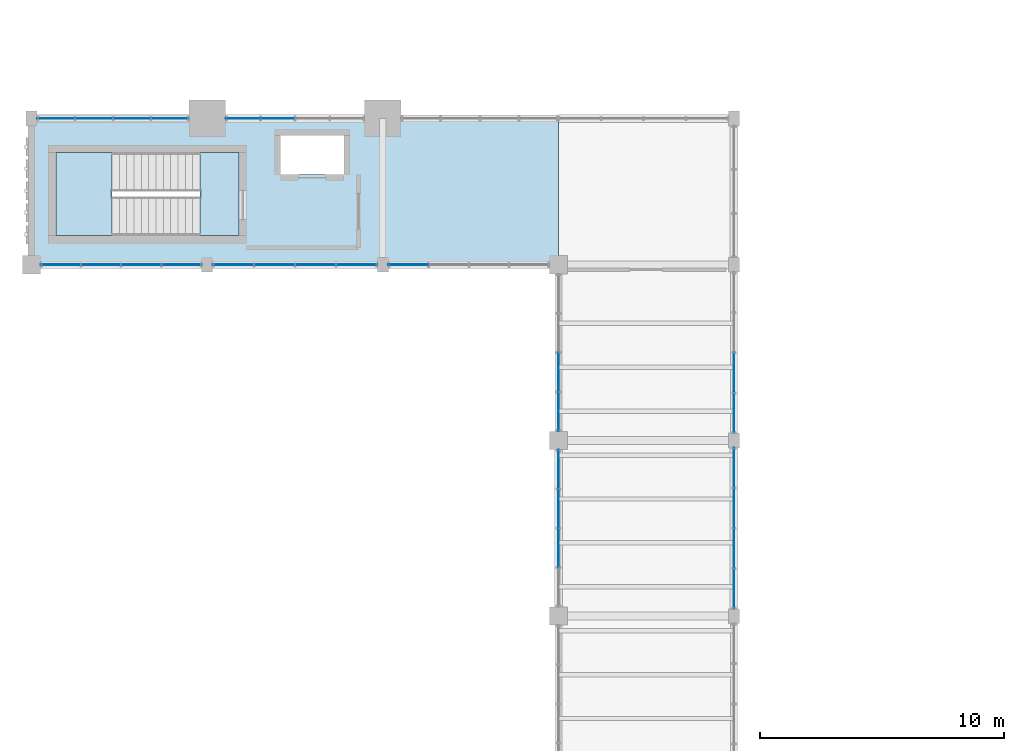
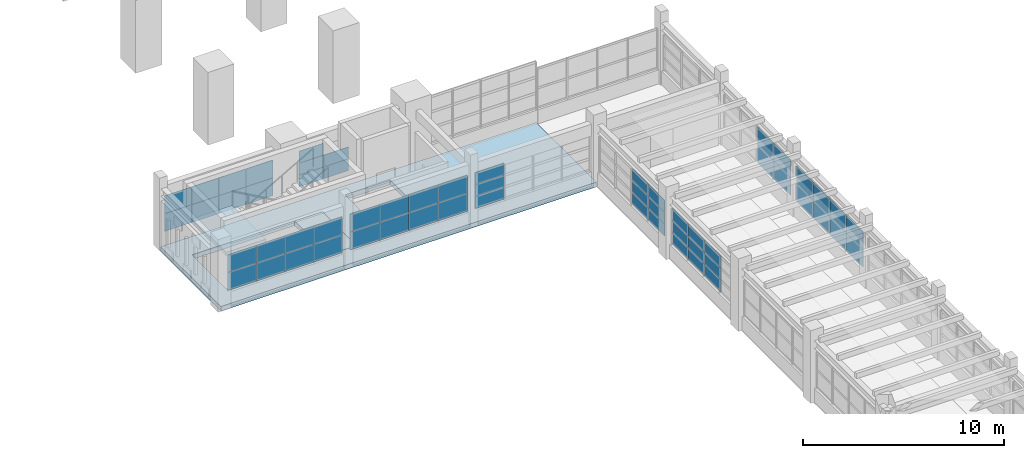
# One storey, part 33 of 69: 59 plates, 3 slabs, 10 elements without a shape of their own.
"""IFC4 building model written with IfcOpenShell, lengths in metres."""

from ifc_helpers import new_model, si_unit, direction, frame, origin, origin_2d, place, context, subcontext, project, spatial, polyline, rectangle, outline, extrude, material, layer, layer_set, type_object, element, aggregate, save


model = new_model("IFC4")

# Units and contexts
model_context = context("Model", 3, precision=1e-05, world=origin(), true_north=direction((0.0, 1.0)))
body_context = subcontext(model_context, "Body", "Model", "MODEL_VIEW")
ifc_project = project(units=[si_unit("LENGTHUNIT", "METRE"), si_unit("AREAUNIT", "SQUARE_METRE"), si_unit("VOLUMEUNIT", "CUBIC_METRE"), si_unit("PLANEANGLEUNIT", "RADIAN"), si_unit("MASSUNIT", "GRAM", prefix="KILO")], contexts=[model_context])

# Site, building, storey
site_placement = place(None, origin())
site = spatial("IfcSite", under=ifc_project, at=site_placement, CompositionType="ELEMENT")
building_placement = place(site_placement, origin())
building = spatial("IfcBuilding", under=site, at=building_placement, Name="Nzembalo Square Collegiate School", CompositionType="ELEMENT")
storey_placement = place(building_placement, frame((0.0, 0.0, 5.10009765625)))
storey = spatial("IfcBuildingStorey", under=building, at=storey_placement, Name="L01", CompositionType="ELEMENT", Elevation=5.10009765625)

# Curtain wall, plates
ifc_material_1 = material(Name="Aluminium 6060-T66", Category="aluminium")
curtain_wall_type_1 = type_object("IfcCurtainWallType", Name="CW-05", PredefinedType="USERDEFINED", material=ifc_material_1)
curtain_wall_1_placement = place(storey_placement, origin())
curtain_wall_1 = element("IfcCurtainWall", 1, at=curtain_wall_1_placement, inside=storey, type_object=curtain_wall_type_1, Name="Curtain wall CW-05 cw:L01:036", ObjectType="LANCET", PredefinedType="USERDEFINED")
ifc_material_2 = material(Name="Laminated solar-control double glazing", Category="glass")
ifc_layer_1 = layer(ifc_material_2, 0.028076171875, Name="Laminated solar-control double glazing")
ifc_layer_set_1 = layer_set([ifc_layer_1], Name="Laminated solar-control double glazing")
plate_type_1 = type_object("IfcPlateType", Name="PN01", PredefinedType="CURTAIN_PANEL", material=ifc_layer_set_1)
plate_1_placement = place(storey_placement, frame((17.06396484375, 50.39990234375, 0.85400390625), z_axis=(0.0, 0.0, 1.0), x_axis=(1.0, 0.0, 0.0)))
plate_1 = element("IfcPlate", 2, at=plate_1_placement, type_object=plate_type_1, Name="PN01 glazed panel 1-1", PredefinedType="CURTAIN_PANEL", context=body_context, shape_type="SweptSolid", body=[
    extrude(rectangle(XDim=1.416015625, YDim=0.028076171875, at=origin_2d()), origin(), (0.0, 0.0, 1.0), 0.716552734375),
])
plate_2_placement = place(storey_placement, frame((18.488037109375, 50.39990234375, 0.85400390625), z_axis=(0.0, 0.0, 1.0), x_axis=(1.0, 0.0, 0.0)))
plate_2 = element("IfcPlate", 3, at=plate_2_placement, type_object=plate_type_1, Name="PN01 glazed panel 1-2", PredefinedType="CURTAIN_PANEL", context=body_context, shape_type="SweptSolid", body=[
    extrude(rectangle(XDim=1.416015625, YDim=0.028076171875, at=origin_2d()), origin(), (0.0, 0.0, 1.0), 0.716552734375),
])
plate_3_placement = place(storey_placement, frame((17.06396484375, 50.39990234375, 1.57861328125), z_axis=(0.0, 0.0, 1.0), x_axis=(1.0, 0.0, 0.0)))
plate_3 = element("IfcPlate", 4, at=plate_3_placement, type_object=plate_type_1, Name="PN01 glazed panel 2-1", PredefinedType="CURTAIN_PANEL", context=body_context, shape_type="SweptSolid", body=[
    extrude(rectangle(XDim=1.416015625, YDim=0.028076171875, at=origin_2d()), origin(), (0.0, 0.0, 1.0), 0.716552734375),
])
plate_4_placement = place(storey_placement, frame((18.488037109375, 50.39990234375, 1.57861328125), z_axis=(0.0, 0.0, 1.0), x_axis=(1.0, 0.0, 0.0)))
plate_4 = element("IfcPlate", 5, at=plate_4_placement, type_object=plate_type_1, Name="PN01 glazed panel 2-2", PredefinedType="CURTAIN_PANEL", context=body_context, shape_type="SweptSolid", body=[
    extrude(rectangle(XDim=1.416015625, YDim=0.028076171875, at=origin_2d()), origin(), (0.0, 0.0, 1.0), 0.716552734375),
])
plate_5_placement = place(storey_placement, frame((17.06396484375, 50.39990234375, 2.30322265625), z_axis=(0.0, 0.0, 1.0), x_axis=(1.0, 0.0, 0.0)))
plate_5 = element("IfcPlate", 6, at=plate_5_placement, type_object=plate_type_1, Name="PN01 glazed panel 3-1", PredefinedType="CURTAIN_PANEL", context=body_context, shape_type="SweptSolid", body=[
    extrude(rectangle(XDim=1.416015625, YDim=0.028076171875, at=origin_2d()), origin(), (0.0, 0.0, 1.0), 0.716552734375),
])
aggregate(curtain_wall_1, [plate_1, plate_2, plate_3, plate_4, plate_5])

ifc_material_3 = material(Name="Aluminium 6060-T66", Category="aluminium")
curtain_wall_type_2 = type_object("IfcCurtainWallType", Name="CW-01", PredefinedType="USERDEFINED", material=ifc_material_3)
curtain_wall_2_placement = place(storey_placement, origin())
curtain_wall_2 = element("IfcCurtainWall", 7, at=curtain_wall_2_placement, inside=storey, type_object=curtain_wall_type_2, Name="Curtain wall CW-01 cw:L01:048", ObjectType="UNITISED", PredefinedType="USERDEFINED")
plate_6_placement = place(storey_placement, frame((30.0, 32.794189453125, 0.85400390625), z_axis=(0.0, 0.0, 1.0), x_axis=(0.0, 1.0, 0.0)))
plate_6 = element("IfcPlate", 8, at=plate_6_placement, type_object=plate_type_1, Name="PN01 glazed panel 1-2", PredefinedType="CURTAIN_PANEL", context=body_context, shape_type="SweptSolid", body=[
    extrude(rectangle(XDim=1.603515625, YDim=0.028076171875, at=origin_2d()), origin(), (0.0, 0.0, 1.0), 0.716552734375),
])
plate_7_placement = place(storey_placement, frame((30.0, 34.40576171875, 0.85400390625), z_axis=(0.0, 0.0, 1.0), x_axis=(0.0, 1.0, 0.0)))
plate_7 = element("IfcPlate", 9, at=plate_7_placement, type_object=plate_type_1, Name="PN01 glazed panel 1-3", PredefinedType="CURTAIN_PANEL", context=body_context, shape_type="SweptSolid", body=[
    extrude(rectangle(XDim=1.603515625, YDim=0.028076171875, at=origin_2d()), origin(), (0.0, 0.0, 1.0), 0.716552734375),
])
plate_8_placement = place(storey_placement, frame((30.0, 36.017333984375, 0.85400390625), z_axis=(0.0, 0.0, 1.0), x_axis=(0.0, 1.0, 0.0)))
plate_8 = element("IfcPlate", 10, at=plate_8_placement, type_object=plate_type_1, Name="PN01 glazed panel 1-4", PredefinedType="CURTAIN_PANEL", context=body_context, shape_type="SweptSolid", body=[
    extrude(rectangle(XDim=1.603515625, YDim=0.028076171875, at=origin_2d()), origin(), (0.0, 0.0, 1.0), 0.716552734375),
])
plate_9_placement = place(storey_placement, frame((30.0, 32.794189453125, 1.57861328125), z_axis=(0.0, 0.0, 1.0), x_axis=(0.0, 1.0, 0.0)))
plate_9 = element("IfcPlate", 11, at=plate_9_placement, type_object=plate_type_1, Name="PN01 glazed panel 2-2", PredefinedType="CURTAIN_PANEL", context=body_context, shape_type="SweptSolid", body=[
    extrude(rectangle(XDim=1.603515625, YDim=0.028076171875, at=origin_2d()), origin(), (0.0, 0.0, 1.0), 0.716552734375),
])
plate_10_placement = place(storey_placement, frame((30.0, 34.40576171875, 1.57861328125), z_axis=(0.0, 0.0, 1.0), x_axis=(0.0, 1.0, 0.0)))
plate_10 = element("IfcPlate", 12, at=plate_10_placement, type_object=plate_type_1, Name="PN01 glazed panel 2-3", PredefinedType="CURTAIN_PANEL", context=body_context, shape_type="SweptSolid", body=[
    extrude(rectangle(XDim=1.603515625, YDim=0.028076171875, at=origin_2d()), origin(), (0.0, 0.0, 1.0), 0.716552734375),
])
plate_11_placement = place(storey_placement, frame((30.0, 36.017333984375, 1.57861328125), z_axis=(0.0, 0.0, 1.0), x_axis=(0.0, 1.0, 0.0)))
plate_11 = element("IfcPlate", 13, at=plate_11_placement, type_object=plate_type_1, Name="PN01 glazed panel 2-4", PredefinedType="CURTAIN_PANEL", context=body_context, shape_type="SweptSolid", body=[
    extrude(rectangle(XDim=1.603515625, YDim=0.028076171875, at=origin_2d()), origin(), (0.0, 0.0, 1.0), 0.716552734375),
])
plate_12_placement = place(storey_placement, frame((30.0, 32.794189453125, 2.30322265625), z_axis=(0.0, 0.0, 1.0), x_axis=(0.0, 1.0, 0.0)))
plate_12 = element("IfcPlate", 14, at=plate_12_placement, type_object=plate_type_1, Name="PN01 glazed panel 3-2", PredefinedType="CURTAIN_PANEL", context=body_context, shape_type="SweptSolid", body=[
    extrude(rectangle(XDim=1.603515625, YDim=0.028076171875, at=origin_2d()), origin(), (0.0, 0.0, 1.0), 0.716552734375),
])
plate_13_placement = place(storey_placement, frame((30.0, 34.40576171875, 2.30322265625), z_axis=(0.0, 0.0, 1.0), x_axis=(0.0, 1.0, 0.0)))
plate_13 = element("IfcPlate", 15, at=plate_13_placement, type_object=plate_type_1, Name="PN01 glazed panel 3-3", PredefinedType="CURTAIN_PANEL", context=body_context, shape_type="SweptSolid", body=[
    extrude(rectangle(XDim=1.603515625, YDim=0.028076171875, at=origin_2d()), origin(), (0.0, 0.0, 1.0), 0.716552734375),
])
plate_14_placement = place(storey_placement, frame((30.0, 36.017333984375, 2.30322265625), z_axis=(0.0, 0.0, 1.0), x_axis=(0.0, 1.0, 0.0)))
plate_14 = element("IfcPlate", 16, at=plate_14_placement, type_object=plate_type_1, Name="PN01 glazed panel 3-4", PredefinedType="CURTAIN_PANEL", context=body_context, shape_type="SweptSolid", body=[
    extrude(rectangle(XDim=1.603515625, YDim=0.028076171875, at=origin_2d()), origin(), (0.0, 0.0, 1.0), 0.716552734375),
])
aggregate(curtain_wall_2, [plate_6, plate_7, plate_8, plate_9, plate_10, plate_11, plate_12, plate_13, plate_14])

ifc_material_4 = material(Name="Aluminium 6060-T66", Category="aluminium")
curtain_wall_type_3 = type_object("IfcCurtainWallType", Name="CW-02", PredefinedType="USERDEFINED", material=ifc_material_4)
curtain_wall_3_placement = place(storey_placement, origin())
curtain_wall_3 = element("IfcCurtainWall", 17, at=curtain_wall_3_placement, inside=storey, type_object=curtain_wall_type_3, Name="Curtain wall CW-02 cw:L01:049", ObjectType="UNITISED", PredefinedType="USERDEFINED")
plate_15_placement = place(storey_placement, frame((30.0, 38.3828125, 0.85400390625), z_axis=(0.0, 0.0, 1.0), x_axis=(0.0, 1.0, 0.0)))
plate_15 = element("IfcPlate", 18, at=plate_15_placement, type_object=plate_type_1, Name="PN01 glazed panel 1-1", PredefinedType="CURTAIN_PANEL", context=body_context, shape_type="SweptSolid", body=[
    extrude(rectangle(XDim=1.603515625, YDim=0.028076171875, at=origin_2d()), origin(), (0.0, 0.0, 1.0), 0.716552734375),
])
plate_16_placement = place(storey_placement, frame((30.0, 39.994140625, 0.85400390625), z_axis=(0.0, 0.0, 1.0), x_axis=(0.0, 1.0, 0.0)))
plate_16 = element("IfcPlate", 19, at=plate_16_placement, type_object=plate_type_1, Name="PN01 glazed panel 1-2", PredefinedType="CURTAIN_PANEL", context=body_context, shape_type="SweptSolid", body=[
    extrude(rectangle(XDim=1.603515625, YDim=0.028076171875, at=origin_2d()), origin(), (0.0, 0.0, 1.0), 0.716552734375),
])
plate_17_placement = place(storey_placement, frame((30.0, 38.3828125, 1.57861328125), z_axis=(0.0, 0.0, 1.0), x_axis=(0.0, 1.0, 0.0)))
plate_17 = element("IfcPlate", 20, at=plate_17_placement, type_object=plate_type_1, Name="PN01 glazed panel 2-1", PredefinedType="CURTAIN_PANEL", context=body_context, shape_type="SweptSolid", body=[
    extrude(rectangle(XDim=1.603515625, YDim=0.028076171875, at=origin_2d()), origin(), (0.0, 0.0, 1.0), 0.716552734375),
])
plate_18_placement = place(storey_placement, frame((30.0, 39.994140625, 1.57861328125), z_axis=(0.0, 0.0, 1.0), x_axis=(0.0, 1.0, 0.0)))
plate_18 = element("IfcPlate", 21, at=plate_18_placement, type_object=plate_type_1, Name="PN01 glazed panel 2-2", PredefinedType="CURTAIN_PANEL", context=body_context, shape_type="SweptSolid", body=[
    extrude(rectangle(XDim=1.603515625, YDim=0.028076171875, at=origin_2d()), origin(), (0.0, 0.0, 1.0), 0.716552734375),
])
plate_19_placement = place(storey_placement, frame((30.0, 38.3828125, 2.30322265625), z_axis=(0.0, 0.0, 1.0), x_axis=(0.0, 1.0, 0.0)))
plate_19 = element("IfcPlate", 22, at=plate_19_placement, type_object=plate_type_1, Name="PN01 glazed panel 3-1", PredefinedType="CURTAIN_PANEL", context=body_context, shape_type="SweptSolid", body=[
    extrude(rectangle(XDim=1.603515625, YDim=0.028076171875, at=origin_2d()), origin(), (0.0, 0.0, 1.0), 0.716552734375),
])
plate_20_placement = place(storey_placement, frame((30.0, 39.994140625, 2.30322265625), z_axis=(0.0, 0.0, 1.0), x_axis=(0.0, 1.0, 0.0)))
plate_20 = element("IfcPlate", 23, at=plate_20_placement, type_object=plate_type_1, Name="PN01 glazed panel 3-2", PredefinedType="CURTAIN_PANEL", context=body_context, shape_type="SweptSolid", body=[
    extrude(rectangle(XDim=1.603515625, YDim=0.028076171875, at=origin_2d()), origin(), (0.0, 0.0, 1.0), 0.716552734375),
])
aggregate(curtain_wall_3, [plate_15, plate_16, plate_17, plate_18, plate_19, plate_20])

curtain_wall_4_placement = place(storey_placement, origin())
curtain_wall_4 = element("IfcCurtainWall", 24, at=curtain_wall_4_placement, inside=storey, type_object=curtain_wall_type_1, Name="Curtain wall CW-05 cw:L01:052", ObjectType="LANCET", PredefinedType="USERDEFINED")
plate_21_placement = place(storey_placement, frame((23.8515625, 44.39990234375, 0.85400390625), z_axis=(0.0, 0.0, 1.0), x_axis=(1.0, 0.0, 0.0)))
plate_21 = element("IfcPlate", 25, at=plate_21_placement, type_object=plate_type_1, Name="PN01 glazed panel 1-1", PredefinedType="CURTAIN_PANEL", context=body_context, shape_type="SweptSolid", body=[
    extrude(rectangle(XDim=1.64111328125, YDim=0.028076171875, at=origin_2d()), origin(), (0.0, 0.0, 1.0), 0.716552734375),
])
plate_22_placement = place(storey_placement, frame((23.8515625, 44.39990234375, 1.57861328125), z_axis=(0.0, 0.0, 1.0), x_axis=(1.0, 0.0, 0.0)))
plate_22 = element("IfcPlate", 26, at=plate_22_placement, type_object=plate_type_1, Name="PN01 glazed panel 2-1", PredefinedType="CURTAIN_PANEL", context=body_context, shape_type="SweptSolid", body=[
    extrude(rectangle(XDim=1.64111328125, YDim=0.028076171875, at=origin_2d()), origin(), (0.0, 0.0, 1.0), 0.716552734375),
])
plate_23_placement = place(storey_placement, frame((23.8515625, 44.39990234375, 2.30322265625), z_axis=(0.0, 0.0, 1.0), x_axis=(1.0, 0.0, 0.0)))
plate_23 = element("IfcPlate", 27, at=plate_23_placement, type_object=plate_type_1, Name="PN01 glazed panel 3-1", PredefinedType="CURTAIN_PANEL", context=body_context, shape_type="SweptSolid", body=[
    extrude(rectangle(XDim=1.64111328125, YDim=0.028076171875, at=origin_2d()), origin(), (0.0, 0.0, 1.0), 0.716552734375),
])
aggregate(curtain_wall_4, [plate_21, plate_22, plate_23])

ifc_material_5 = material(Name="Aluminium 6060-T66", Category="aluminium")
curtain_wall_type_4 = type_object("IfcCurtainWallType", Name="CW-04", PredefinedType="USERDEFINED", material=ifc_material_5)
curtain_wall_5_placement = place(storey_placement, origin())
curtain_wall_5 = element("IfcCurtainWall", 28, at=curtain_wall_5_placement, inside=storey, type_object=curtain_wall_type_4, Name="Curtain wall CW-04 cw:L01:035", ObjectType="UNITISED", PredefinedType="USERDEFINED")
ifc_material_6 = material(Name="Acoustic laminated solar-control glazing", Category="glass")
ifc_layer_2 = layer(ifc_material_6, 0.031982421875, Name="Acoustic laminated solar-control glazing")
ifc_layer_set_2 = layer_set([ifc_layer_2], Name="Acoustic laminated solar-control glazing")
plate_type_2 = type_object("IfcPlateType", Name="PN02", PredefinedType="CURTAIN_PANEL", material=ifc_layer_set_2)
plate_24_placement = place(storey_placement, frame((9.404541015625, 50.39990234375, 0.853759765625), z_axis=(0.0, 0.0, 1.0), x_axis=(1.0, 0.0, 0.0)))
plate_24 = element("IfcPlate", 29, at=plate_24_placement, type_object=plate_type_2, Name="PN02 glazed panel 1-1", PredefinedType="CURTAIN_PANEL", context=body_context, shape_type="SweptSolid", body=[
    extrude(rectangle(XDim=1.54736328125, YDim=0.031982421875, at=origin_2d()), origin(), (0.0, 0.0, 1.0), 1.0791015625),
])
plate_25_placement = place(storey_placement, frame((10.9599609375, 50.39990234375, 0.853759765625), z_axis=(0.0, 0.0, 1.0), x_axis=(1.0, 0.0, 0.0)))
plate_25 = element("IfcPlate", 30, at=plate_25_placement, type_object=plate_type_2, Name="PN02 glazed panel 1-2", PredefinedType="CURTAIN_PANEL", context=body_context, shape_type="SweptSolid", body=[
    extrude(rectangle(XDim=1.54736328125, YDim=0.031982421875, at=origin_2d()), origin(), (0.0, 0.0, 1.0), 1.0791015625),
])
plate_26_placement = place(storey_placement, frame((12.51513671875, 50.39990234375, 0.853759765625), z_axis=(0.0, 0.0, 1.0), x_axis=(1.0, 0.0, 0.0)))
plate_26 = element("IfcPlate", 31, at=plate_26_placement, type_object=plate_type_2, Name="PN02 glazed panel 1-3", PredefinedType="CURTAIN_PANEL", context=body_context, shape_type="SweptSolid", body=[
    extrude(rectangle(XDim=1.54736328125, YDim=0.031982421875, at=origin_2d()), origin(), (0.0, 0.0, 1.0), 1.0791015625),
])
plate_27_placement = place(storey_placement, frame((14.0703125, 50.39990234375, 0.853759765625), z_axis=(0.0, 0.0, 1.0), x_axis=(1.0, 0.0, 0.0)))
plate_27 = element("IfcPlate", 32, at=plate_27_placement, type_object=plate_type_2, Name="PN02 glazed panel 1-4", PredefinedType="CURTAIN_PANEL", context=body_context, shape_type="SweptSolid", body=[
    extrude(rectangle(XDim=1.54736328125, YDim=0.031982421875, at=origin_2d()), origin(), (0.0, 0.0, 1.0), 1.0791015625),
])
plate_28_placement = place(storey_placement, frame((9.404541015625, 50.39990234375, 1.94091796875), z_axis=(0.0, 0.0, 1.0), x_axis=(1.0, 0.0, 0.0)))
plate_28 = element("IfcPlate", 33, at=plate_28_placement, type_object=plate_type_2, Name="PN02 glazed panel 2-1", PredefinedType="CURTAIN_PANEL", context=body_context, shape_type="SweptSolid", body=[
    extrude(rectangle(XDim=1.54736328125, YDim=0.031982421875, at=origin_2d()), origin(), (0.0, 0.0, 1.0), 1.0791015625),
])
plate_29_placement = place(storey_placement, frame((10.9599609375, 50.39990234375, 1.94091796875), z_axis=(0.0, 0.0, 1.0), x_axis=(1.0, 0.0, 0.0)))
plate_29 = element("IfcPlate", 34, at=plate_29_placement, type_object=plate_type_2, Name="PN02 glazed panel 2-2", PredefinedType="CURTAIN_PANEL", context=body_context, shape_type="SweptSolid", body=[
    extrude(rectangle(XDim=1.54736328125, YDim=0.031982421875, at=origin_2d()), origin(), (0.0, 0.0, 1.0), 1.0791015625),
])
plate_30_placement = place(storey_placement, frame((12.51513671875, 50.39990234375, 1.94091796875), z_axis=(0.0, 0.0, 1.0), x_axis=(1.0, 0.0, 0.0)))
plate_30 = element("IfcPlate", 35, at=plate_30_placement, type_object=plate_type_2, Name="PN02 glazed panel 2-3", PredefinedType="CURTAIN_PANEL", context=body_context, shape_type="SweptSolid", body=[
    extrude(rectangle(XDim=1.54736328125, YDim=0.031982421875, at=origin_2d()), origin(), (0.0, 0.0, 1.0), 1.0791015625),
])
plate_31_placement = place(storey_placement, frame((14.0703125, 50.39990234375, 1.94091796875), z_axis=(0.0, 0.0, 1.0), x_axis=(1.0, 0.0, 0.0)))
plate_31 = element("IfcPlate", 36, at=plate_31_placement, type_object=plate_type_2, Name="PN02 glazed panel 2-4", PredefinedType="CURTAIN_PANEL", context=body_context, shape_type="SweptSolid", body=[
    extrude(rectangle(XDim=1.54736328125, YDim=0.031982421875, at=origin_2d()), origin(), (0.0, 0.0, 1.0), 1.0791015625),
])
aggregate(curtain_wall_5, [plate_24, plate_25, plate_26, plate_27, plate_28, plate_29, plate_30, plate_31])

ifc_material_7 = material(Name="Aluminium 6060-T66", Category="aluminium")
curtain_wall_type_5 = type_object("IfcCurtainWallType", Name="CW-03", PredefinedType="USERDEFINED", material=ifc_material_7)
curtain_wall_6_placement = place(storey_placement, origin())
curtain_wall_6 = element("IfcCurtainWall", 37, at=curtain_wall_6_placement, inside=storey, type_object=curtain_wall_type_5, Name="Curtain wall CW-03 cw:L01:042", ObjectType="UNITISED", PredefinedType="USERDEFINED")
plate_32_placement = place(storey_placement, frame((37.199951171875, 31.12646484375, 0.853759765625), z_axis=(0.0, 0.0, 1.0), x_axis=(0.0, 1.0, 0.0)))
plate_32 = element("IfcPlate", 38, at=plate_32_placement, type_object=plate_type_2, Name="PN02 glazed panel 1-1", PredefinedType="CURTAIN_PANEL", context=body_context, shape_type="SweptSolid", body=[
    extrude(rectangle(XDim=1.64111328125, YDim=0.031982421875, at=origin_2d()), origin(), (0.0, 0.0, 1.0), 1.0791015625),
])
plate_33_placement = place(storey_placement, frame((37.199951171875, 32.775390625, 0.853759765625), z_axis=(0.0, 0.0, 1.0), x_axis=(0.0, 1.0, 0.0)))
plate_33 = element("IfcPlate", 39, at=plate_33_placement, type_object=plate_type_2, Name="PN02 glazed panel 1-2", PredefinedType="CURTAIN_PANEL", context=body_context, shape_type="SweptSolid", body=[
    extrude(rectangle(XDim=1.64111328125, YDim=0.031982421875, at=origin_2d()), origin(), (0.0, 0.0, 1.0), 1.0791015625),
])
plate_34_placement = place(storey_placement, frame((37.199951171875, 34.424560546875, 0.853759765625), z_axis=(0.0, 0.0, 1.0), x_axis=(0.0, 1.0, 0.0)))
plate_34 = element("IfcPlate", 40, at=plate_34_placement, type_object=plate_type_2, Name="PN02 glazed panel 1-3", PredefinedType="CURTAIN_PANEL", context=body_context, shape_type="SweptSolid", body=[
    extrude(rectangle(XDim=1.64111328125, YDim=0.031982421875, at=origin_2d()), origin(), (0.0, 0.0, 1.0), 1.0791015625),
])
plate_35_placement = place(storey_placement, frame((37.199951171875, 36.073486328125, 0.853759765625), z_axis=(0.0, 0.0, 1.0), x_axis=(0.0, 1.0, 0.0)))
plate_35 = element("IfcPlate", 41, at=plate_35_placement, type_object=plate_type_2, Name="PN02 glazed panel 1-4", PredefinedType="CURTAIN_PANEL", context=body_context, shape_type="SweptSolid", body=[
    extrude(rectangle(XDim=1.64111328125, YDim=0.031982421875, at=origin_2d()), origin(), (0.0, 0.0, 1.0), 1.0791015625),
])
plate_36_placement = place(storey_placement, frame((37.199951171875, 31.12646484375, 1.94091796875), z_axis=(0.0, 0.0, 1.0), x_axis=(0.0, 1.0, 0.0)))
plate_36 = element("IfcPlate", 42, at=plate_36_placement, type_object=plate_type_2, Name="PN02 glazed panel 2-1", PredefinedType="CURTAIN_PANEL", context=body_context, shape_type="SweptSolid", body=[
    extrude(rectangle(XDim=1.64111328125, YDim=0.031982421875, at=origin_2d()), origin(), (0.0, 0.0, 1.0), 1.0791015625),
])
plate_37_placement = place(storey_placement, frame((37.199951171875, 32.775390625, 1.94091796875), z_axis=(0.0, 0.0, 1.0), x_axis=(0.0, 1.0, 0.0)))
plate_37 = element("IfcPlate", 43, at=plate_37_placement, type_object=plate_type_2, Name="PN02 glazed panel 2-2", PredefinedType="CURTAIN_PANEL", context=body_context, shape_type="SweptSolid", body=[
    extrude(rectangle(XDim=1.64111328125, YDim=0.031982421875, at=origin_2d()), origin(), (0.0, 0.0, 1.0), 1.0791015625),
])
plate_38_placement = place(storey_placement, frame((37.199951171875, 34.424560546875, 1.94091796875), z_axis=(0.0, 0.0, 1.0), x_axis=(0.0, 1.0, 0.0)))
plate_38 = element("IfcPlate", 44, at=plate_38_placement, type_object=plate_type_2, Name="PN02 glazed panel 2-3", PredefinedType="CURTAIN_PANEL", context=body_context, shape_type="SweptSolid", body=[
    extrude(rectangle(XDim=1.64111328125, YDim=0.031982421875, at=origin_2d()), origin(), (0.0, 0.0, 1.0), 1.0791015625),
])
plate_39_placement = place(storey_placement, frame((37.199951171875, 36.073486328125, 1.94091796875), z_axis=(0.0, 0.0, 1.0), x_axis=(0.0, 1.0, 0.0)))
plate_39 = element("IfcPlate", 45, at=plate_39_placement, type_object=plate_type_2, Name="PN02 glazed panel 2-4", PredefinedType="CURTAIN_PANEL", context=body_context, shape_type="SweptSolid", body=[
    extrude(rectangle(XDim=1.64111328125, YDim=0.031982421875, at=origin_2d()), origin(), (0.0, 0.0, 1.0), 1.0791015625),
])
aggregate(curtain_wall_6, [plate_32, plate_33, plate_34, plate_35, plate_36, plate_37, plate_38, plate_39])

curtain_wall_7_placement = place(storey_placement, origin())
curtain_wall_7 = element("IfcCurtainWall", 46, at=curtain_wall_7_placement, inside=storey, type_object=curtain_wall_type_4, Name="Curtain wall CW-04 cw:L01:043", ObjectType="UNITISED", PredefinedType="USERDEFINED")
plate_40_placement = place(storey_placement, frame((37.199951171875, 38.326416015625, 0.853759765625), z_axis=(0.0, 0.0, 1.0), x_axis=(0.0, 1.0, 0.0)))
plate_40 = element("IfcPlate", 47, at=plate_40_placement, type_object=plate_type_2, Name="PN02 glazed panel 1-1", PredefinedType="CURTAIN_PANEL", context=body_context, shape_type="SweptSolid", body=[
    extrude(rectangle(XDim=1.64111328125, YDim=0.031982421875, at=origin_2d()), origin(), (0.0, 0.0, 1.0), 1.0791015625),
])
plate_41_placement = place(storey_placement, frame((37.199951171875, 39.9755859375, 0.853759765625), z_axis=(0.0, 0.0, 1.0), x_axis=(0.0, 1.0, 0.0)))
plate_41 = element("IfcPlate", 48, at=plate_41_placement, type_object=plate_type_2, Name="PN02 glazed panel 1-2", PredefinedType="CURTAIN_PANEL", context=body_context, shape_type="SweptSolid", body=[
    extrude(rectangle(XDim=1.64111328125, YDim=0.031982421875, at=origin_2d()), origin(), (0.0, 0.0, 1.0), 1.0791015625),
])
plate_42_placement = place(storey_placement, frame((37.199951171875, 38.326416015625, 1.94091796875), z_axis=(0.0, 0.0, 1.0), x_axis=(0.0, 1.0, 0.0)))
plate_42 = element("IfcPlate", 49, at=plate_42_placement, type_object=plate_type_2, Name="PN02 glazed panel 2-1", PredefinedType="CURTAIN_PANEL", context=body_context, shape_type="SweptSolid", body=[
    extrude(rectangle(XDim=1.64111328125, YDim=0.031982421875, at=origin_2d()), origin(), (0.0, 0.0, 1.0), 1.0791015625),
])
plate_43_placement = place(storey_placement, frame((37.199951171875, 39.9755859375, 1.94091796875), z_axis=(0.0, 0.0, 1.0), x_axis=(0.0, 1.0, 0.0)))
plate_43 = element("IfcPlate", 50, at=plate_43_placement, type_object=plate_type_2, Name="PN02 glazed panel 2-2", PredefinedType="CURTAIN_PANEL", context=body_context, shape_type="SweptSolid", body=[
    extrude(rectangle(XDim=1.64111328125, YDim=0.031982421875, at=origin_2d()), origin(), (0.0, 0.0, 1.0), 1.0791015625),
])
aggregate(curtain_wall_7, [plate_40, plate_41, plate_42, plate_43])

curtain_wall_8_placement = place(storey_placement, origin())
curtain_wall_8 = element("IfcCurtainWall", 51, at=curtain_wall_8_placement, inside=storey, type_object=curtain_wall_type_5, Name="Curtain wall CW-03 cw:L01:050", ObjectType="UNITISED", PredefinedType="USERDEFINED")
plate_44_placement = place(storey_placement, frame((9.6015625, 44.39990234375, 0.853759765625), z_axis=(0.0, 0.0, 1.0), x_axis=(1.0, 0.0, 0.0)))
plate_44 = element("IfcPlate", 52, at=plate_44_placement, type_object=plate_type_2, Name="PN02 glazed panel 1-1", PredefinedType="CURTAIN_PANEL", context=body_context, shape_type="SweptSolid", body=[
    extrude(rectangle(XDim=1.64111328125, YDim=0.031982421875, at=origin_2d()), origin(), (0.0, 0.0, 1.0), 1.0791015625),
])
plate_45_placement = place(storey_placement, frame((11.25048828125, 44.39990234375, 0.853759765625), z_axis=(0.0, 0.0, 1.0), x_axis=(1.0, 0.0, 0.0)))
plate_45 = element("IfcPlate", 53, at=plate_45_placement, type_object=plate_type_2, Name="PN02 glazed panel 1-2", PredefinedType="CURTAIN_PANEL", context=body_context, shape_type="SweptSolid", body=[
    extrude(rectangle(XDim=1.64111328125, YDim=0.031982421875, at=origin_2d()), origin(), (0.0, 0.0, 1.0), 1.0791015625),
])
plate_46_placement = place(storey_placement, frame((12.8994140625, 44.39990234375, 0.853759765625), z_axis=(0.0, 0.0, 1.0), x_axis=(1.0, 0.0, 0.0)))
plate_46 = element("IfcPlate", 54, at=plate_46_placement, type_object=plate_type_2, Name="PN02 glazed panel 1-3", PredefinedType="CURTAIN_PANEL", context=body_context, shape_type="SweptSolid", body=[
    extrude(rectangle(XDim=1.64111328125, YDim=0.031982421875, at=origin_2d()), origin(), (0.0, 0.0, 1.0), 1.0791015625),
])
plate_47_placement = place(storey_placement, frame((14.548583984375, 44.39990234375, 0.853759765625), z_axis=(0.0, 0.0, 1.0), x_axis=(1.0, 0.0, 0.0)))
plate_47 = element("IfcPlate", 55, at=plate_47_placement, type_object=plate_type_2, Name="PN02 glazed panel 1-4", PredefinedType="CURTAIN_PANEL", context=body_context, shape_type="SweptSolid", body=[
    extrude(rectangle(XDim=1.64111328125, YDim=0.031982421875, at=origin_2d()), origin(), (0.0, 0.0, 1.0), 1.0791015625),
])
plate_48_placement = place(storey_placement, frame((9.6015625, 44.39990234375, 1.94091796875), z_axis=(0.0, 0.0, 1.0), x_axis=(1.0, 0.0, 0.0)))
plate_48 = element("IfcPlate", 56, at=plate_48_placement, type_object=plate_type_2, Name="PN02 glazed panel 2-1", PredefinedType="CURTAIN_PANEL", context=body_context, shape_type="SweptSolid", body=[
    extrude(rectangle(XDim=1.64111328125, YDim=0.031982421875, at=origin_2d()), origin(), (0.0, 0.0, 1.0), 1.0791015625),
])
plate_49_placement = place(storey_placement, frame((11.25048828125, 44.39990234375, 1.94091796875), z_axis=(0.0, 0.0, 1.0), x_axis=(1.0, 0.0, 0.0)))
plate_49 = element("IfcPlate", 57, at=plate_49_placement, type_object=plate_type_2, Name="PN02 glazed panel 2-2", PredefinedType="CURTAIN_PANEL", context=body_context, shape_type="SweptSolid", body=[
    extrude(rectangle(XDim=1.64111328125, YDim=0.031982421875, at=origin_2d()), origin(), (0.0, 0.0, 1.0), 1.0791015625),
])
plate_50_placement = place(storey_placement, frame((12.8994140625, 44.39990234375, 1.94091796875), z_axis=(0.0, 0.0, 1.0), x_axis=(1.0, 0.0, 0.0)))
plate_50 = element("IfcPlate", 58, at=plate_50_placement, type_object=plate_type_2, Name="PN02 glazed panel 2-3", PredefinedType="CURTAIN_PANEL", context=body_context, shape_type="SweptSolid", body=[
    extrude(rectangle(XDim=1.64111328125, YDim=0.031982421875, at=origin_2d()), origin(), (0.0, 0.0, 1.0), 1.0791015625),
])
plate_51_placement = place(storey_placement, frame((14.548583984375, 44.39990234375, 1.94091796875), z_axis=(0.0, 0.0, 1.0), x_axis=(1.0, 0.0, 0.0)))
plate_51 = element("IfcPlate", 59, at=plate_51_placement, type_object=plate_type_2, Name="PN02 glazed panel 2-4", PredefinedType="CURTAIN_PANEL", context=body_context, shape_type="SweptSolid", body=[
    extrude(rectangle(XDim=1.64111328125, YDim=0.031982421875, at=origin_2d()), origin(), (0.0, 0.0, 1.0), 1.0791015625),
])
aggregate(curtain_wall_8, [plate_44, plate_45, plate_46, plate_47, plate_48, plate_49, plate_50, plate_51])

curtain_wall_9_placement = place(storey_placement, origin())
curtain_wall_9 = element("IfcCurtainWall", 60, at=curtain_wall_9_placement, inside=storey, type_object=curtain_wall_type_4, Name="Curtain wall CW-04 cw:L01:051", ObjectType="UNITISED", PredefinedType="USERDEFINED")
plate_52_placement = place(storey_placement, frame((16.670166015625, 44.39990234375, 0.853759765625), z_axis=(0.0, 0.0, 1.0), x_axis=(1.0, 0.0, 0.0)))
plate_52 = element("IfcPlate", 61, at=plate_52_placement, type_object=plate_type_2, Name="PN02 glazed panel 1-1", PredefinedType="CURTAIN_PANEL", context=body_context, shape_type="SweptSolid", body=[
    extrude(rectangle(XDim=1.678466796875, YDim=0.031982421875, at=origin_2d()), origin(), (0.0, 0.0, 1.0), 1.0791015625),
])
plate_53_placement = place(storey_placement, frame((18.356689453125, 44.39990234375, 0.853759765625), z_axis=(0.0, 0.0, 1.0), x_axis=(1.0, 0.0, 0.0)))
plate_53 = element("IfcPlate", 62, at=plate_53_placement, type_object=plate_type_2, Name="PN02 glazed panel 1-2", PredefinedType="CURTAIN_PANEL", context=body_context, shape_type="SweptSolid", body=[
    extrude(rectangle(XDim=1.678466796875, YDim=0.031982421875, at=origin_2d()), origin(), (0.0, 0.0, 1.0), 1.0791015625),
])
plate_54_placement = place(storey_placement, frame((20.043212890625, 44.39990234375, 0.853759765625), z_axis=(0.0, 0.0, 1.0), x_axis=(1.0, 0.0, 0.0)))
plate_54 = element("IfcPlate", 63, at=plate_54_placement, type_object=plate_type_2, Name="PN02 glazed panel 1-3", PredefinedType="CURTAIN_PANEL", context=body_context, shape_type="SweptSolid", body=[
    extrude(rectangle(XDim=1.678466796875, YDim=0.031982421875, at=origin_2d()), origin(), (0.0, 0.0, 1.0), 1.0791015625),
])
plate_55_placement = place(storey_placement, frame((21.729736328125, 44.39990234375, 0.853759765625), z_axis=(0.0, 0.0, 1.0), x_axis=(1.0, 0.0, 0.0)))
plate_55 = element("IfcPlate", 64, at=plate_55_placement, type_object=plate_type_2, Name="PN02 glazed panel 1-4", PredefinedType="CURTAIN_PANEL", context=body_context, shape_type="SweptSolid", body=[
    extrude(rectangle(XDim=1.678466796875, YDim=0.031982421875, at=origin_2d()), origin(), (0.0, 0.0, 1.0), 1.0791015625),
])
plate_56_placement = place(storey_placement, frame((16.670166015625, 44.39990234375, 1.94091796875), z_axis=(0.0, 0.0, 1.0), x_axis=(1.0, 0.0, 0.0)))
plate_56 = element("IfcPlate", 65, at=plate_56_placement, type_object=plate_type_2, Name="PN02 glazed panel 2-1", PredefinedType="CURTAIN_PANEL", context=body_context, shape_type="SweptSolid", body=[
    extrude(rectangle(XDim=1.678466796875, YDim=0.031982421875, at=origin_2d()), origin(), (0.0, 0.0, 1.0), 1.0791015625),
])
plate_57_placement = place(storey_placement, frame((18.356689453125, 44.39990234375, 1.94091796875), z_axis=(0.0, 0.0, 1.0), x_axis=(1.0, 0.0, 0.0)))
plate_57 = element("IfcPlate", 66, at=plate_57_placement, type_object=plate_type_2, Name="PN02 glazed panel 2-2", PredefinedType="CURTAIN_PANEL", context=body_context, shape_type="SweptSolid", body=[
    extrude(rectangle(XDim=1.678466796875, YDim=0.031982421875, at=origin_2d()), origin(), (0.0, 0.0, 1.0), 1.0791015625),
])
plate_58_placement = place(storey_placement, frame((20.043212890625, 44.39990234375, 1.94091796875), z_axis=(0.0, 0.0, 1.0), x_axis=(1.0, 0.0, 0.0)))
plate_58 = element("IfcPlate", 67, at=plate_58_placement, type_object=plate_type_2, Name="PN02 glazed panel 2-3", PredefinedType="CURTAIN_PANEL", context=body_context, shape_type="SweptSolid", body=[
    extrude(rectangle(XDim=1.678466796875, YDim=0.031982421875, at=origin_2d()), origin(), (0.0, 0.0, 1.0), 1.0791015625),
])
plate_59_placement = place(storey_placement, frame((21.729736328125, 44.39990234375, 1.94091796875), z_axis=(0.0, 0.0, 1.0), x_axis=(1.0, 0.0, 0.0)))
plate_59 = element("IfcPlate", 68, at=plate_59_placement, type_object=plate_type_2, Name="PN02 glazed panel 2-4", PredefinedType="CURTAIN_PANEL", context=body_context, shape_type="SweptSolid", body=[
    extrude(rectangle(XDim=1.678466796875, YDim=0.031982421875, at=origin_2d()), origin(), (0.0, 0.0, 1.0), 1.0791015625),
])
aggregate(curtain_wall_9, [plate_52, plate_53, plate_54, plate_55, plate_56, plate_57, plate_58, plate_59])

# Stair, slab
ifc_material_8 = material(Name="Precast concrete C40/50", Category="concrete")
stair_type = type_object("IfcStairType", Name="ST-26R", PredefinedType="HALF_TURN_STAIR", material=ifc_material_8)
stair_placement = place(storey_placement, origin())
stair = element("IfcStair", 69, at=stair_placement, inside=storey, type_object=stair_type, Name="Escape stair ST-03 (C1 L01)", PredefinedType="HALF_TURN_STAIR")
ifc_material_9 = material(Name="Precast concrete C40/50", Category="concrete")
ifc_layer_3 = layer(ifc_material_9, 0.199951171875, Name="Precast concrete C40/50")
ifc_layer_set_3 = layer_set([ifc_layer_3], Name="Precast concrete C40/50")
slab_type_1 = type_object("IfcSlabType", Name="SL-LDG", PredefinedType="LANDING", material=ifc_layer_set_3)
slab_1_placement = place(storey_placement, frame((0.0, 0.0, 2.010009765625)))
slab_1 = element("IfcSlab", 70, at=slab_1_placement, type_object=slab_type_1, Name="ST-03 landing 1", PredefinedType="LANDING", context=body_context, shape_type="SweptSolid", body=[
    extrude(outline(polyline([(11.699951171875, 49.0), (9.39990234375, 49.0), (9.39990234375, 45.60009765625), (11.699951171875, 45.60009765625), (11.699951171875, 49.0)])), origin(), (0.0, 0.0, 1.0), 0.199951171875),
])
aggregate(stair, [slab_1])

# Slabs
ifc_material_10 = material(Name="Concrete C35/45", Category="concrete")
ifc_layer_4 = layer(ifc_material_10, 0.284912109375, Name="Concrete C35/45")
ifc_layer_set_4 = layer_set([ifc_layer_4], Name="Concrete C35/45")
slab_type_2 = type_object("IfcSlabType", Name="SL-01", PredefinedType="FLOOR", material=ifc_layer_set_4)
slab_2_placement = place(storey_placement, frame((0.0, 0.0, -0.28515625)))
element("IfcSlab", 71, at=slab_2_placement, inside=storey, type_object=slab_type_2, Name="Slab SL-L01-36", PredefinedType="FLOOR", context=body_context, shape_type="SweptSolid", body=[
    extrude(outline(polyline([(8.39990234375, 44.39990234375), (30.0, 44.39990234375), (30.0, 50.39990234375), (8.39990234375, 50.39990234375), (8.39990234375, 44.39990234375)]), holes=[polyline([(18.60009765625, 48.10009765625), (21.199951171875, 48.10009765625), (21.199951171875, 49.699951171875), (18.60009765625, 49.699951171875), (18.60009765625, 48.10009765625)]), polyline([(16.89990234375, 49.0), (9.39990234375, 49.0), (9.39990234375, 45.60009765625), (16.89990234375, 45.60009765625), (16.89990234375, 49.0)])]), origin(), (0.0, 0.0, 1.0), 0.28515625),
])
slab_3_placement = place(storey_placement, frame((0.0, 0.0, -0.28515625)))
element("IfcSlab", 72, at=slab_3_placement, inside=storey, type_object=slab_type_2, Name="Core C1 floor landing slab SL-L01-C1", PredefinedType="FLOOR", context=body_context, shape_type="SweptSolid", body=[
    extrude(outline(polyline([(15.300048828125, 45.60009765625), (16.89990234375, 45.60009765625), (16.89990234375, 49.0), (15.300048828125, 49.0), (15.300048828125, 45.60009765625)])), origin(), (0.0, 0.0, 1.0), 0.28515625),
])

save(model, "model.ifc")
